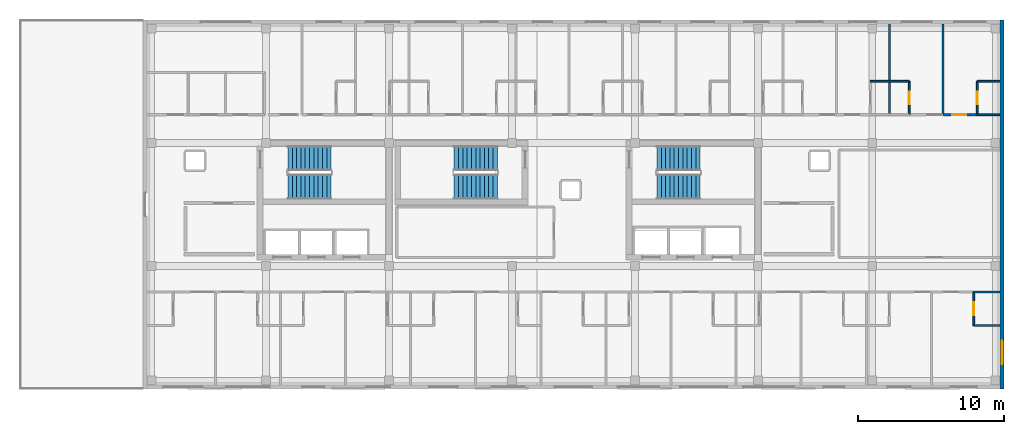
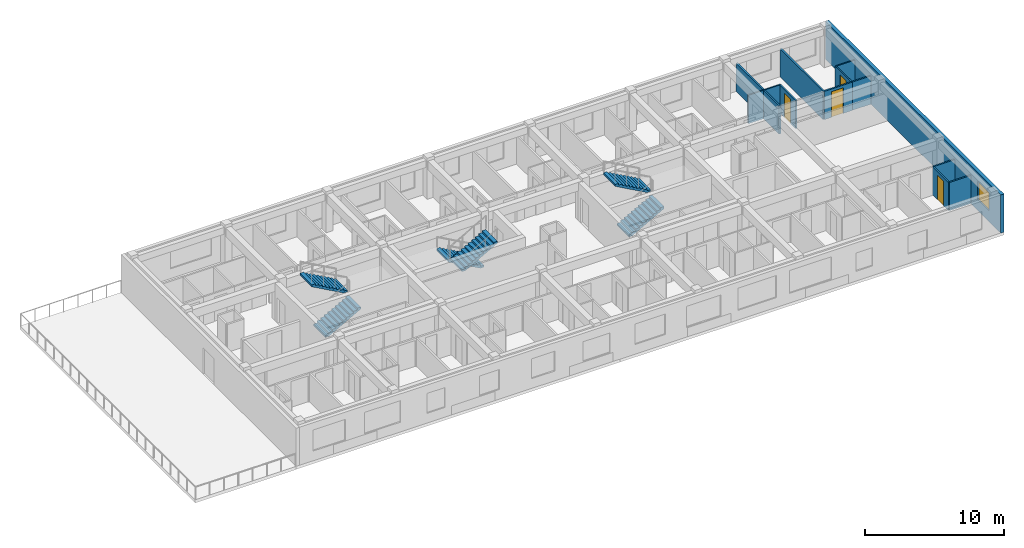
# One storey, part 8 of 10: 13 walls, 6 stair flights, 4 doors, 1 window, 5 openings, 3 elements without a shape of their own.
"""IFC4 building model written with IfcOpenShell, lengths in metres."""

from ifc_helpers import new_model, si_unit, direction, frame, frame_2d, origin, place, context, subcontext, project, spatial, polyline, rectangle, outline, extrude, material, layer, layer_set, type_object, element, fill, aggregate, save


model = new_model("IFC4")

# Units and contexts
model_context = context("Model", 3, precision=1e-05, world=origin(), true_north=direction((0.0, 1.0)))
body_context = subcontext(model_context, "Body", "Model", "MODEL_VIEW")
ifc_project = project(units=[si_unit("LENGTHUNIT", "METRE"), si_unit("AREAUNIT", "SQUARE_METRE"), si_unit("VOLUMEUNIT", "CUBIC_METRE"), si_unit("PLANEANGLEUNIT", "RADIAN"), si_unit("MASSUNIT", "GRAM", prefix="KILO")], contexts=[model_context])

# Site, building, storey
site_placement = place(None, origin())
site = spatial("IfcSite", under=ifc_project, at=site_placement, CompositionType="ELEMENT")
building_placement = place(site_placement, origin())
building = spatial("IfcBuilding", under=site, at=building_placement, Name="Zayran Congress Hotel", CompositionType="ELEMENT")
storey_placement = place(building_placement, frame((0.0, 0.0, 33.60009765625)))
storey = spatial("IfcBuildingStorey", under=building, at=storey_placement, Name="L08", CompositionType="ELEMENT", Elevation=33.60009765625)

# Wall, opening, window
ifc_material_1 = material(Name="Hajar Ma'ani limestone cavity wall and concrete C32/40", Category="masonry")
ifc_layer_1 = layer(ifc_material_1, 0.280029296875)
ifc_layer_set_1 = layer_set([ifc_layer_1], Name="Hajar Ma'ani limestone cavity wall and concrete C32/40")
wall_type_1 = type_object("IfcWallType", Name="WL-EX-280", PredefinedType="SOLIDWALL", material=ifc_layer_set_1)
wall_1_placement = place(storey_placement, frame((75.4599609375, 34.0, 0.0), z_axis=(0.0, 0.0, 1.0), x_axis=(0.0, -1.0, 0.0)))
wall_1 = element("IfcWall", 1, at=wall_1_placement, inside=storey, type_object=wall_type_1, Name="EW-V5-E-L08", PredefinedType="SOLIDWALL", context=body_context, shape_type="SweptSolid", body=[
    extrude(rectangle(XDim=25.199951171875, YDim=0.280029296875, at=frame_2d((12.60009765625, 0.0))), origin(), (0.0, 0.0, 1.0), 3.33984375),
])
opening_1_placement = place(wall_1_placement, frame((21.89990234375, 0.0, 0.949951171875)))
opening_1 = element("IfcOpeningElement", 2, at=opening_1_placement, cuts=wall_1, Name="Opening WN-15", PredefinedType="OPENING", context=body_context, shape_type="SweptSolid", body=[
    extrude(rectangle(XDim=1.60009765625, YDim=1.60009765625, at=frame_2d((0.800048828125, 0.800048828125))), frame((0.0, 0.14990234375, 0.0), z_axis=(0.0, -1.0, 0.0), x_axis=(1.0, 0.0, 0.0)), (0.0, 0.0, 1.0), 0.300048828125),
])
ifc_material_2 = material(Name="Anodised aluminium and low-E insulated glass", Category="aluminium")
window_type = type_object("IfcWindowType", Name="TP-WN-15", PartitioningType="SINGLE_PANEL", PredefinedType="WINDOW", material=ifc_material_2)
window_placement = place(opening_1_placement, origin())
window = element("IfcWindow", 3, at=window_placement, inside=storey, type_object=window_type, Name="WIN-V5E-L08", OverallHeight=1.60009765625, OverallWidth=1.60009765625, PartitioningType="SINGLE_PANEL", PredefinedType="WINDOW", context=body_context, shape_type="SweptSolid", body=[
    extrude(rectangle(XDim=1.60009765625, YDim=1.60009765625, at=frame_2d((0.800048828125, 0.800048828125))), frame((0.0, 0.030029296875, 0.0), z_axis=(0.0, -1.0, 0.0), x_axis=(1.0, 0.0, 0.0)), (0.0, 0.0, 1.0), 0.06005859375),
])
fill(opening_1, window)

# Wall, opening, door
ifc_material_3 = material(Name="Hospitality guestroom acoustic partition", Category="gypsum")
ifc_layer_2 = layer(ifc_material_3, 0.139892578125)
ifc_layer_set_2 = layer_set([ifc_layer_2], Name="Hospitality guestroom acoustic partition")
wall_type_2 = type_object("IfcWallType", Name="WL-PT-140", PredefinedType="PARTITIONING", material=ifc_layer_set_2)
wall_2_placement = place(storey_placement, frame((71.4619140625, 27.530029296875, 0.0), z_axis=(0.0, 0.0, 1.0), x_axis=(1.0, 0.0, 0.0)))
wall_2 = element("IfcWall", 4, at=wall_2_placement, inside=storey, type_object=wall_type_2, Name="IW-L08-0783", PredefinedType="PARTITIONING", context=body_context, shape_type="SweptSolid", body=[
    extrude(rectangle(XDim=2.30810546875, YDim=0.139892578125, at=frame_2d((1.154052734375, 0.0))), origin(), (0.0, 0.0, 1.0), 2.47998046875),
])
opening_2_placement = place(wall_2_placement, frame((0.597900390625, 0.0, 0.0)))
opening_2 = element("IfcOpeningElement", 5, at=opening_2_placement, cuts=wall_2, Name="Opening DR-GR-03", PredefinedType="OPENING", context=body_context, shape_type="SweptSolid", body=[
    extrude(rectangle(XDim=0.9599609375, YDim=2.25, at=frame_2d((0.47998046875, 1.125))), frame((0.0, 0.079833984375, 0.0), z_axis=(0.0, -1.0, 0.0), x_axis=(1.0, 0.0, 0.0)), (0.0, 0.0, 1.0), 0.159912109375),
])
ifc_material_4 = material(Name="Executive walnut veneer entry door", Category="wood")
door_type_1 = type_object("IfcDoorType", Name="TP-DR-GR-03", OperationType="NOTDEFINED", PredefinedType="DOOR", material=ifc_material_4)
door_1_placement = place(opening_2_placement, origin())
door_1 = element("IfcDoor", 6, at=door_1_placement, inside=storey, type_object=door_type_1, Name="Guest Room L08-26 Door", OperationType="SINGLE_SWING_RIGHT", OverallHeight=2.25, OverallWidth=0.9599609375, PredefinedType="DOOR", context=body_context, shape_type="SweptSolid", body=[
    extrude(rectangle(XDim=0.9599609375, YDim=2.25, at=frame_2d((0.47998046875, 1.125))), frame((0.0, 0.02490234375, 0.0), z_axis=(0.0, -1.0, 0.0), x_axis=(1.0, 0.0, 0.0)), (0.0, 0.0, 1.0), 0.050048828125),
])
fill(opening_2, door_1)

# Walls
for number, where, z_axis, x_axis, name in (
    (7, (67.794921875, 27.52001953125, 0.0), (0.0, 0.0, 1.0), (0.0, 1.0, 0.0), "IW-L08-2115"),
    (8, (71.44189453125, 27.52001953125, 0.0), (0.0, 0.0, 1.0), (0.0, 1.0, 0.0), "IW-L08-2116"),
):
    element("IfcWall", number, at=place(storey_placement, frame(where, z_axis=z_axis, x_axis=x_axis)), inside=storey, type_object=wall_type_2, Name=name, PredefinedType="PARTITIONING", context=body_context, shape_type="SweptSolid", body=[
        extrude(rectangle(XDim=6.199951171875, YDim=0.139892578125, at=frame_2d((3.10009765625, 0.0))), origin(), (0.0, 0.0, 1.0), 2.47998046875),
    ])

# Wall, opening, door
ifc_material_5 = material(Name="Moisture-resistant bathroom partition", Category="gypsum")
ifc_layer_3 = layer(ifc_material_5, 0.1201171875)
ifc_layer_set_3 = layer_set([ifc_layer_3], Name="Moisture-resistant bathroom partition")
wall_type_3 = type_object("IfcWallType", Name="WL-PT-120", PredefinedType="PARTITIONING", material=ifc_layer_set_3)
wall_3_placement = place(storey_placement, frame((73.535888671875, 13.1201171875, 0.0), z_axis=(0.0, 0.0, 1.0), x_axis=(0.0, 1.0, 0.0)))
wall_3 = element("IfcWall", 9, at=wall_3_placement, inside=storey, type_object=wall_type_3, Name="IW-L08-0257", PredefinedType="PARTITIONING", context=body_context, shape_type="SweptSolid", body=[
    extrude(rectangle(XDim=2.309814453125, YDim=0.1201171875, at=frame_2d((1.15478515625, 0.0))), origin(), (0.0, 0.0, 1.0), 2.47998046875),
])
opening_3_placement = place(wall_3_placement, frame((0.715087890625, 0.0, 0.0)))
opening_3 = element("IfcOpeningElement", 10, at=opening_3_placement, cuts=wall_3, Name="Opening DR-BT-01", PredefinedType="OPENING", context=body_context, shape_type="SweptSolid", body=[
    extrude(rectangle(XDim=0.8798828125, YDim=2.14990234375, at=frame_2d((0.43994140625, 1.074951171875))), frame((0.0, 0.070068359375, 0.0), z_axis=(0.0, -1.0, 0.0), x_axis=(1.0, 0.0, 0.0)), (0.0, 0.0, 1.0), 0.14013671875),
])
ifc_material_6 = material(Name="Moisture-resistant oak en-suite door", Category="wood")
door_type_2 = type_object("IfcDoorType", Name="TP-DR-BT-01", OperationType="NOTDEFINED", PredefinedType="DOOR", material=ifc_material_6)
door_2_placement = place(opening_3_placement, origin())
door_2 = element("IfcDoor", 11, at=door_2_placement, inside=storey, type_object=door_type_2, Name="En-Suite Bathroom L08-13 Door", OperationType="SINGLE_SWING_RIGHT", OverallHeight=2.14990234375, OverallWidth=0.8798828125, PredefinedType="DOOR", context=body_context, shape_type="SweptSolid", body=[
    extrude(rectangle(XDim=0.8798828125, YDim=2.14990234375, at=frame_2d((0.43994140625, 1.074951171875))), frame((0.0, 0.02490234375, 0.0), z_axis=(0.0, -1.0, 0.0), x_axis=(1.0, 0.0, 0.0)), (0.0, 0.0, 1.0), 0.050048828125),
])
fill(opening_3, door_2)

wall_4_placement = place(storey_placement, frame((69.135009765625, 27.52001953125, 0.0), z_axis=(0.0, 0.0, 1.0), x_axis=(0.0, 1.0, 0.0)))
wall_4 = element("IfcWall", 12, at=wall_4_placement, inside=storey, type_object=wall_type_3, Name="IW-L08-0269", PredefinedType="PARTITIONING", context=body_context, shape_type="SweptSolid", body=[
    extrude(rectangle(XDim=2.31005859375, YDim=0.1201171875, at=frame_2d((1.155029296875, 0.0))), origin(), (0.0, 0.0, 1.0), 2.47998046875),
])
opening_4_placement = place(wall_4_placement, frame((0.715087890625, 0.0, 0.0)))
opening_4 = element("IfcOpeningElement", 13, at=opening_4_placement, cuts=wall_4, Name="Opening DR-BT-01", PredefinedType="OPENING", context=body_context, shape_type="SweptSolid", body=[
    extrude(rectangle(XDim=0.8798828125, YDim=2.14990234375, at=frame_2d((0.43994140625, 1.074951171875))), frame((0.0, 0.070068359375, 0.0), z_axis=(0.0, -1.0, 0.0), x_axis=(1.0, 0.0, 0.0)), (0.0, 0.0, 1.0), 0.14013671875),
])
door_3_placement = place(opening_4_placement, origin())
door_3 = element("IfcDoor", 14, at=door_3_placement, inside=storey, type_object=door_type_2, Name="En-Suite Bathroom L08-25 Door", OperationType="SINGLE_SWING_RIGHT", OverallHeight=2.14990234375, OverallWidth=0.8798828125, PredefinedType="DOOR", context=body_context, shape_type="SweptSolid", body=[
    extrude(rectangle(XDim=0.8798828125, YDim=2.14990234375, at=frame_2d((0.43994140625, 1.074951171875))), frame((0.0, 0.02490234375, 0.0), z_axis=(0.0, -1.0, 0.0), x_axis=(1.0, 0.0, 0.0)), (0.0, 0.0, 1.0), 0.050048828125),
])
fill(opening_4, door_3)

wall_5_placement = place(storey_placement, frame((73.77001953125, 27.52001953125, 0.0), z_axis=(0.0, 0.0, 1.0), x_axis=(0.0, 1.0, 0.0)))
wall_5 = element("IfcWall", 15, at=wall_5_placement, inside=storey, type_object=wall_type_3, Name="IW-L08-0270", PredefinedType="PARTITIONING", context=body_context, shape_type="SweptSolid", body=[
    extrude(rectangle(XDim=2.31005859375, YDim=0.1201171875, at=frame_2d((1.155029296875, 0.0))), origin(), (0.0, 0.0, 1.0), 2.47998046875),
])
opening_5_placement = place(wall_5_placement, frame((0.715087890625, 0.0, 0.0)))
opening_5 = element("IfcOpeningElement", 16, at=opening_5_placement, cuts=wall_5, Name="Opening DR-BT-01", PredefinedType="OPENING", context=body_context, shape_type="SweptSolid", body=[
    extrude(rectangle(XDim=0.8798828125, YDim=2.14990234375, at=frame_2d((0.43994140625, 1.074951171875))), frame((0.0, 0.070068359375, 0.0), z_axis=(0.0, -1.0, 0.0), x_axis=(1.0, 0.0, 0.0)), (0.0, 0.0, 1.0), 0.14013671875),
])
door_4_placement = place(opening_5_placement, origin())
door_4 = element("IfcDoor", 17, at=door_4_placement, inside=storey, type_object=door_type_2, Name="En-Suite Bathroom L08-26 Door", OperationType="SINGLE_SWING_LEFT", OverallHeight=2.14990234375, OverallWidth=0.8798828125, PredefinedType="DOOR", context=body_context, shape_type="SweptSolid", body=[
    extrude(rectangle(XDim=0.8798828125, YDim=2.14990234375, at=frame_2d((0.43994140625, 1.074951171875))), frame((0.0, 0.02490234375, 0.0), z_axis=(0.0, -1.0, 0.0), x_axis=(1.0, 0.0, 0.0)), (0.0, 0.0, 1.0), 0.050048828125),
])
fill(opening_5, door_4)

# Walls
for number, where, z_axis, x_axis, name in (
    (18, (73.52587890625, 13.1298828125, 0.0), (0.0, 0.0, 1.0), (1.0, 0.0, 0.0), "IW-L08-1381"),
    (19, (73.52587890625, 15.419921875, 0.0), (0.0, 0.0, 1.0), (1.0, 0.0, 0.0), "IW-L08-1382"),
):
    element("IfcWall", number, at=place(storey_placement, frame(where, z_axis=z_axis, x_axis=x_axis)), inside=storey, type_object=wall_type_3, Name=name, PredefinedType="PARTITIONING", context=body_context, shape_type="SweptSolid", body=[
        extrude(rectangle(XDim=1.794189453125, YDim=0.1201171875, at=frame_2d((0.89697265625, 0.0))), origin(), (0.0, 0.0, 1.0), 2.47998046875),
    ])
wall_6_placement = place(storey_placement, frame((66.465087890625, 29.820068359375, 0.0), z_axis=(0.0, 0.0, 1.0), x_axis=(1.0, 0.0, 0.0)))
element("IfcWall", 20, at=wall_6_placement, inside=storey, type_object=wall_type_3, Name="IW-L08-1404", PredefinedType="PARTITIONING", context=body_context, shape_type="SweptSolid", body=[
    extrude(rectangle(XDim=1.33984375, YDim=0.1201171875, at=frame_2d((0.669921875, 0.0))), origin(), (0.0, 0.0, 1.0), 2.47998046875),
])
wall_7_placement = place(storey_placement, frame((67.804931640625, 29.820068359375, 0.0), z_axis=(0.0, 0.0, 1.0), x_axis=(1.0, 0.0, 0.0)))
element("IfcWall", 21, at=wall_7_placement, inside=storey, type_object=wall_type_3, Name="IW-L08-1406", PredefinedType="PARTITIONING", context=body_context, shape_type="SweptSolid", body=[
    extrude(rectangle(XDim=1.340087890625, YDim=0.1201171875, at=frame_2d((0.669921875, 0.0))), origin(), (0.0, 0.0, 1.0), 2.47998046875),
])
for number, where, z_axis, x_axis, name in (
    (22, (73.760009765625, 27.530029296875, 0.0), (0.0, 0.0, 1.0), (1.0, 0.0, 0.0), "IW-L08-1407"),
    (23, (73.760009765625, 29.820068359375, 0.0), (0.0, 0.0, 1.0), (1.0, 0.0, 0.0), "IW-L08-1408"),
):
    element("IfcWall", number, at=place(storey_placement, frame(where, z_axis=z_axis, x_axis=x_axis)), inside=storey, type_object=wall_type_3, Name=name, PredefinedType="PARTITIONING", context=body_context, shape_type="SweptSolid", body=[
        extrude(rectangle(XDim=1.56005859375, YDim=0.1201171875, at=frame_2d((0.780029296875, 0.0))), origin(), (0.0, 0.0, 1.0), 2.47998046875),
    ])

# Stair, stair flights
ifc_material_7 = material(Name="Concrete C32/40", Category="concrete")
stair_type = type_object("IfcStairType", Name="TP-STR-1700-36", PredefinedType="USERDEFINED", material=ifc_material_7)
stair_1_placement = place(storey_placement, origin())
stair_1 = element("IfcStair", 24, at=stair_1_placement, inside=storey, type_object=stair_type, Name="L08 ST-01", ObjectType="TWO_RETURN_STAIR", PredefinedType="USERDEFINED")
stair_flight_type = type_object("IfcStairFlightType", Name="TP-STF-1700-36", PredefinedType="STRAIGHT", material=ifc_material_7)
stair_flight_1_placement = place(storey_placement, frame((26.699951171875, 22.610107421875, 0.0), z_axis=(0.0, 0.0, 1.0), x_axis=(1.0, 0.0, 0.0)))
stair_flight_1 = element("IfcStairFlight", 25, at=stair_flight_1_placement, type_object=stair_flight_type, Name="ST-01 flight 1", NumberOfRisers=11, NumberOfTreads=10, PredefinedType="STRAIGHT", RiserHeight=0.1636363636363637, TreadLength=0.295, context=body_context, shape_type="SweptSolid", body=[
    extrude(outline(polyline([(0.0, 0.0), (0.0, 0.16357421875), (0.294921875, 0.16357421875), (0.294921875, 0.327392578125), (0.590087890625, 0.327392578125), (0.590087890625, 0.490966796875), (0.885009765625, 0.490966796875), (0.885009765625, 0.654541015625), (1.179931640625, 0.654541015625), (1.179931640625, 0.818115234375), (1.47509765625, 0.818115234375), (1.47509765625, 0.98193359375), (1.77001953125, 0.98193359375), (1.77001953125, 1.1455078125), (2.06494140625, 1.1455078125), (2.06494140625, 1.30908203125), (2.360107421875, 1.30908203125), (2.360107421875, 1.47265625), (2.655029296875, 1.47265625), (2.655029296875, 1.636474609375), (2.949951171875, 1.636474609375), (2.949951171875, 1.800048828125), (2.949951171875, 1.46484375), (0.30908203125, 0.0), (0.0, 0.0)])), frame((0.0, 0.85009765625, 0.0), z_axis=(0.0, -1.0, 0.0), x_axis=(1.0, 0.0, 0.0)), (0.0, 0.0, 1.0), 1.699951171875),
])
stair_flight_2_placement = place(storey_placement, frame((29.64990234375, 24.550048828125, 1.7998046875), z_axis=(0.0, 0.0, 1.0), x_axis=(-1.0, 0.0, 0.0)))
stair_flight_2 = element("IfcStairFlight", 26, at=stair_flight_2_placement, type_object=stair_flight_type, Name="ST-01 flight 2", NumberOfRisers=11, NumberOfTreads=10, PredefinedType="STRAIGHT", RiserHeight=0.1636363636363637, TreadLength=0.295, context=body_context, shape_type="SweptSolid", body=[
    extrude(outline(polyline([(0.0, 0.0), (0.0, 0.16357421875), (0.294921875, 0.16357421875), (0.294921875, 0.327392578125), (0.590087890625, 0.327392578125), (0.590087890625, 0.490966796875), (0.885009765625, 0.490966796875), (0.885009765625, 0.654541015625), (1.179931640625, 0.654541015625), (1.179931640625, 0.818115234375), (1.47509765625, 0.818115234375), (1.47509765625, 0.98193359375), (1.77001953125, 0.98193359375), (1.77001953125, 1.1455078125), (2.06494140625, 1.1455078125), (2.06494140625, 1.30908203125), (2.360107421875, 1.30908203125), (2.360107421875, 1.47265625), (2.655029296875, 1.47265625), (2.655029296875, 1.636474609375), (2.949951171875, 1.636474609375), (2.949951171875, 1.800048828125), (2.949951171875, 1.46484375), (0.30908203125, 0.0), (0.0, 0.0)])), frame((0.0, 0.85009765625, 0.0), z_axis=(0.0, -1.0, 0.0), x_axis=(1.0, 0.0, 0.0)), (0.0, 0.0, 1.0), 1.699951171875),
])
aggregate(stair_1, [stair_flight_1, stair_flight_2])

stair_2_placement = place(storey_placement, origin())
stair_2 = element("IfcStair", 27, at=stair_2_placement, inside=storey, type_object=stair_type, Name="L08 ST-02", ObjectType="TWO_RETURN_STAIR", PredefinedType="USERDEFINED")
stair_flight_3_placement = place(storey_placement, frame((51.89990234375, 22.610107421875, 0.0), z_axis=(0.0, 0.0, 1.0), x_axis=(1.0, 0.0, 0.0)))
stair_flight_3 = element("IfcStairFlight", 28, at=stair_flight_3_placement, type_object=stair_flight_type, Name="ST-02 flight 1", NumberOfRisers=11, NumberOfTreads=10, PredefinedType="STRAIGHT", RiserHeight=0.1636363636363637, TreadLength=0.295, context=body_context, shape_type="SweptSolid", body=[
    extrude(outline(polyline([(0.0, 0.0), (0.0, 0.16357421875), (0.294921875, 0.16357421875), (0.294921875, 0.327392578125), (0.590087890625, 0.327392578125), (0.590087890625, 0.490966796875), (0.885009765625, 0.490966796875), (0.885009765625, 0.654541015625), (1.179931640625, 0.654541015625), (1.179931640625, 0.818115234375), (1.47509765625, 0.818115234375), (1.47509765625, 0.98193359375), (1.77001953125, 0.98193359375), (1.77001953125, 1.1455078125), (2.06494140625, 1.1455078125), (2.06494140625, 1.30908203125), (2.360107421875, 1.30908203125), (2.360107421875, 1.47265625), (2.655029296875, 1.47265625), (2.655029296875, 1.636474609375), (2.949951171875, 1.636474609375), (2.949951171875, 1.800048828125), (2.949951171875, 1.46484375), (0.30908203125, 0.0), (0.0, 0.0)])), frame((0.0, 0.85009765625, 0.0), z_axis=(0.0, -1.0, 0.0), x_axis=(1.0, 0.0, 0.0)), (0.0, 0.0, 1.0), 1.699951171875),
])
stair_flight_4_placement = place(storey_placement, frame((54.85009765625, 24.550048828125, 1.7998046875), z_axis=(0.0, 0.0, 1.0), x_axis=(-1.0, 0.0, 0.0)))
stair_flight_4 = element("IfcStairFlight", 29, at=stair_flight_4_placement, type_object=stair_flight_type, Name="ST-02 flight 2", NumberOfRisers=11, NumberOfTreads=10, PredefinedType="STRAIGHT", RiserHeight=0.1636363636363637, TreadLength=0.295, context=body_context, shape_type="SweptSolid", body=[
    extrude(outline(polyline([(0.0, 0.0), (0.0, 0.16357421875), (0.294921875, 0.16357421875), (0.294921875, 0.327392578125), (0.590087890625, 0.327392578125), (0.590087890625, 0.490966796875), (0.885009765625, 0.490966796875), (0.885009765625, 0.654541015625), (1.179931640625, 0.654541015625), (1.179931640625, 0.818115234375), (1.47509765625, 0.818115234375), (1.47509765625, 0.98193359375), (1.77001953125, 0.98193359375), (1.77001953125, 1.1455078125), (2.06494140625, 1.1455078125), (2.06494140625, 1.30908203125), (2.360107421875, 1.30908203125), (2.360107421875, 1.47265625), (2.655029296875, 1.47265625), (2.655029296875, 1.636474609375), (2.949951171875, 1.636474609375), (2.949951171875, 1.800048828125), (2.949951171875, 1.46484375), (0.30908203125, 0.0), (0.0, 0.0)])), frame((0.0, 0.85009765625, 0.0), z_axis=(0.0, -1.0, 0.0), x_axis=(1.0, 0.0, 0.0)), (0.0, 0.0, 1.0), 1.699951171875),
])
aggregate(stair_2, [stair_flight_3, stair_flight_4])

stair_3_placement = place(storey_placement, origin())
stair_3 = element("IfcStair", 30, at=stair_3_placement, inside=storey, type_object=stair_type, Name="L08 ST-13", ObjectType="TWO_RETURN_STAIR", PredefinedType="USERDEFINED")
stair_flight_5_placement = place(storey_placement, frame((41.0, 24.550048828125, 0.0), z_axis=(0.0, 0.0, 1.0), x_axis=(-1.0, 0.0, 0.0)))
stair_flight_5 = element("IfcStairFlight", 31, at=stair_flight_5_placement, type_object=stair_flight_type, Name="ST-13 flight 1", NumberOfRisers=11, NumberOfTreads=10, PredefinedType="STRAIGHT", RiserHeight=0.1636363636363637, TreadLength=0.295, context=body_context, shape_type="SweptSolid", body=[
    extrude(outline(polyline([(0.0, 0.0), (0.0, 0.16357421875), (0.294921875, 0.16357421875), (0.294921875, 0.327392578125), (0.590087890625, 0.327392578125), (0.590087890625, 0.490966796875), (0.885009765625, 0.490966796875), (0.885009765625, 0.654541015625), (1.179931640625, 0.654541015625), (1.179931640625, 0.818115234375), (1.47509765625, 0.818115234375), (1.47509765625, 0.98193359375), (1.77001953125, 0.98193359375), (1.77001953125, 1.1455078125), (2.06494140625, 1.1455078125), (2.06494140625, 1.30908203125), (2.360107421875, 1.30908203125), (2.360107421875, 1.47265625), (2.655029296875, 1.47265625), (2.655029296875, 1.636474609375), (2.949951171875, 1.636474609375), (2.949951171875, 1.800048828125), (2.949951171875, 1.46484375), (0.30908203125, 0.0), (0.0, 0.0)])), frame((0.0, 0.85009765625, 0.0), z_axis=(0.0, -1.0, 0.0), x_axis=(1.0, 0.0, 0.0)), (0.0, 0.0, 1.0), 1.699951171875),
])
stair_flight_6_placement = place(storey_placement, frame((38.050048828125, 22.610107421875, 1.7998046875), z_axis=(0.0, 0.0, 1.0), x_axis=(1.0, 0.0, 0.0)))
stair_flight_6 = element("IfcStairFlight", 32, at=stair_flight_6_placement, type_object=stair_flight_type, Name="ST-13 flight 2", NumberOfRisers=11, NumberOfTreads=10, PredefinedType="STRAIGHT", RiserHeight=0.1636363636363637, TreadLength=0.295, context=body_context, shape_type="SweptSolid", body=[
    extrude(outline(polyline([(0.0, 0.0), (0.0, 0.16357421875), (0.294921875, 0.16357421875), (0.294921875, 0.327392578125), (0.590087890625, 0.327392578125), (0.590087890625, 0.490966796875), (0.885009765625, 0.490966796875), (0.885009765625, 0.654541015625), (1.179931640625, 0.654541015625), (1.179931640625, 0.818115234375), (1.47509765625, 0.818115234375), (1.47509765625, 0.98193359375), (1.77001953125, 0.98193359375), (1.77001953125, 1.1455078125), (2.06494140625, 1.1455078125), (2.06494140625, 1.30908203125), (2.360107421875, 1.30908203125), (2.360107421875, 1.47265625), (2.655029296875, 1.47265625), (2.655029296875, 1.636474609375), (2.949951171875, 1.636474609375), (2.949951171875, 1.800048828125), (2.949951171875, 1.46484375), (0.30908203125, 0.0), (0.0, 0.0)])), frame((0.0, 0.85009765625, 0.0), z_axis=(0.0, -1.0, 0.0), x_axis=(1.0, 0.0, 0.0)), (0.0, 0.0, 1.0), 1.699951171875),
])
aggregate(stair_3, [stair_flight_5, stair_flight_6])

save(model, "model.ifc")
